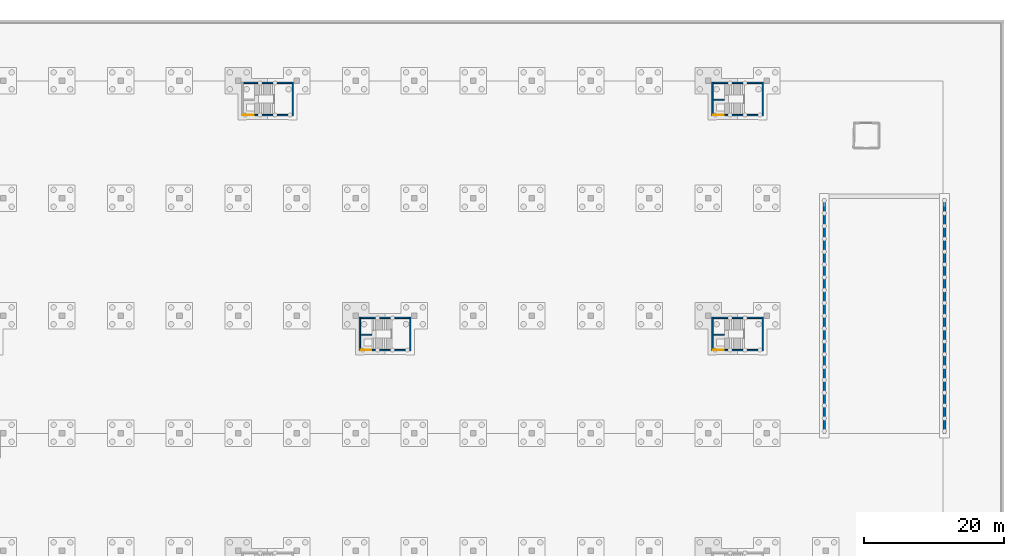
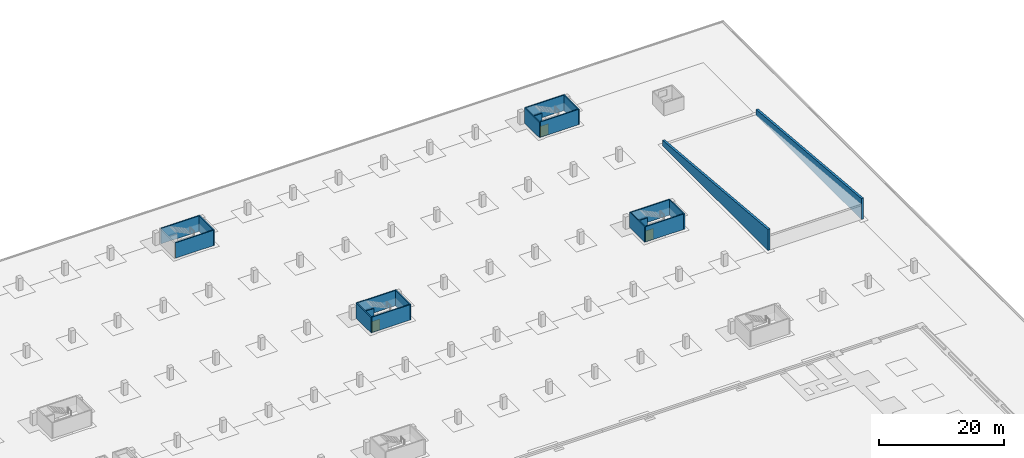
# One storey, part 47 of 67: 20 walls, 4 doors, 4 openings.
"""IFC4 building model written with IfcOpenShell, lengths in metres."""

from ifc_helpers import new_model, si_unit, direction, frame, frame_2d, origin, place, context, subcontext, project, spatial, polyline, rectangle, outline, extrude, material, layer, layer_set, type_object, element, fill, save


model = new_model("IFC4")

# Units and contexts
model_context = context("Model", 3, precision=1e-05, world=origin(), true_north=direction((0.0, 1.0)))
body_context = subcontext(model_context, "Body", "Model", "MODEL_VIEW")
ifc_project = project(units=[si_unit("LENGTHUNIT", "METRE"), si_unit("AREAUNIT", "SQUARE_METRE"), si_unit("VOLUMEUNIT", "CUBIC_METRE"), si_unit("PLANEANGLEUNIT", "RADIAN"), si_unit("MASSUNIT", "GRAM", prefix="KILO")], contexts=[model_context])

# Site, building, storey
site_placement = place(None, origin())
site = spatial("IfcSite", under=ifc_project, at=site_placement, CompositionType="ELEMENT")
building_placement = place(site_placement, origin())
building = spatial("IfcBuilding", under=site, at=building_placement, Name="Rain Tree Exposition and Congress Centre", CompositionType="ELEMENT")
storey_placement = place(building_placement, frame((0.0, 0.0, -3.0)))
storey = spatial("IfcBuildingStorey", under=building, at=storey_placement, Name="B1", CompositionType="ELEMENT", Elevation=-3.0)

# Walls
ifc_material_1 = material(Name="Concrete C40/50", Category="concrete")
ifc_layer_1 = layer(ifc_material_1, 0.199951171875)
ifc_layer_set_1 = layer_set([ifc_layer_1], Name="Concrete C40/50")
wall_type_1 = type_object("IfcWallType", Name="Exit stair wall 200", PredefinedType="PARTITIONING", material=ifc_layer_set_1)
for number, where, z_axis, x_axis, name in (
    (1, (185.39990234375, 247.0, 0.0), (0.0, 0.0, 1.0), (0.0, 1.0, 0.0), "Exit stair N07 wall west"),
    (2, (192.60009765625, 247.0, 0.0), (0.0, 0.0, 1.0), (0.0, 1.0, 0.0), "Exit stair N07 wall east"),
):
    element("IfcWall", number, at=place(storey_placement, frame(where, z_axis=z_axis, x_axis=x_axis)), inside=storey, type_object=wall_type_1, Name=name, PredefinedType="SOLIDWALL", context=body_context, shape_type="SweptSolid", body=[
        extrude(rectangle(XDim=4.800048828125, YDim=0.199951171875, at=frame_2d((2.39990234375, 0.0))), origin(), (0.0, 0.0, 1.0), 3.0),
    ])

# Wall, opening, door
wall_1_placement = place(storey_placement, frame((185.5, 247.10009765625, 0.0), z_axis=(0.0, 0.0, 1.0), x_axis=(1.0, 0.0, 0.0)))
wall_1 = element("IfcWall", 3, at=wall_1_placement, inside=storey, type_object=wall_type_1, Name="Exit stair N07 wall south", PredefinedType="SOLIDWALL", context=body_context, shape_type="SweptSolid", body=[
    extrude(rectangle(XDim=7.0, YDim=0.199951171875, at=frame_2d((3.5, 0.0))), origin(), (0.0, 0.0, 1.0), 3.0),
])
opening_1_placement = place(wall_1_placement, origin())
opening_1 = element("IfcOpeningElement", 4, at=opening_1_placement, cuts=wall_1, Name="Opening DS151", PredefinedType="OPENING", context=body_context, shape_type="SweptSolid", body=[
    extrude(rectangle(XDim=1.5, YDim=2.10009765625, at=frame_2d((0.75, 1.050048828125))), frame((0.0, 0.10009765625, 0.0), z_axis=(0.0, -1.0, 0.0), x_axis=(1.0, 0.0, 0.0)), (0.0, 0.0, 1.0), 0.199951171875),
])
ifc_material_2 = material(Name="Powder-coated steel", Category="steel")
door_type = type_object("IfcDoorType", Name="Exit stair door 1500x2100", OperationType="NOTDEFINED", PredefinedType="DOOR", material=ifc_material_2)
door_1_placement = place(opening_1_placement, origin())
door_1 = element("IfcDoor", 5, at=door_1_placement, inside=storey, type_object=door_type, Name="Exit stair N07 door B1", OperationType="SINGLE_SWING_LEFT", OverallHeight=2.10009765625, OverallWidth=1.5, PredefinedType="DOOR", context=body_context, shape_type="SweptSolid", body=[
    extrude(rectangle(XDim=1.5, YDim=2.10009765625, at=frame_2d((0.75, 1.050048828125))), frame((0.0, 0.02490234375, 0.0), z_axis=(0.0, -1.0, 0.0), x_axis=(1.0, 0.0, 0.0)), (0.0, 0.0, 1.0), 0.050048828125),
])
fill(opening_1, door_1)

# Walls
wall_2_placement = place(storey_placement, frame((185.5, 251.699951171875, 0.0), z_axis=(0.0, 0.0, 1.0), x_axis=(1.0, 0.0, 0.0)))
element("IfcWall", 6, at=wall_2_placement, inside=storey, type_object=wall_type_1, Name="Exit stair N07 wall north", PredefinedType="SOLIDWALL", context=body_context, shape_type="SweptSolid", body=[
    extrude(rectangle(XDim=7.0, YDim=0.199951171875, at=frame_2d((3.5, 0.0))), origin(), (0.0, 0.0, 1.0), 3.0),
])
wall_3_placement = place(storey_placement, frame((185.5, 249.300048828125, 0.0), z_axis=(0.0, 0.0, 1.0), x_axis=(1.0, 0.0, 0.0)))
element("IfcWall", 7, at=wall_3_placement, inside=storey, type_object=wall_type_1, Name="Exit stair N07 landing support", PredefinedType="SOLIDWALL", context=body_context, shape_type="SweptSolid", body=[
    extrude(rectangle(XDim=1.60009765625, YDim=0.199951171875, at=frame_2d((0.800048828125, 0.0))), origin(), (0.0, 0.0, 1.0), 2.800048828125),
])
for number, where, z_axis, x_axis, name in (
    (8, (235.800048828125, 247.0, 0.0), (0.0, 0.0, 1.0), (0.0, 1.0, 0.0), "Exit stair N08 wall west"),
    (9, (243.0, 247.0, 0.0), (0.0, 0.0, 1.0), (0.0, 1.0, 0.0), "Exit stair N08 wall east"),
):
    element("IfcWall", number, at=place(storey_placement, frame(where, z_axis=z_axis, x_axis=x_axis)), inside=storey, type_object=wall_type_1, Name=name, PredefinedType="SOLIDWALL", context=body_context, shape_type="SweptSolid", body=[
        extrude(rectangle(XDim=4.800048828125, YDim=0.199951171875, at=frame_2d((2.39990234375, 0.0))), origin(), (0.0, 0.0, 1.0), 3.0),
    ])

# Wall, opening, door
wall_4_placement = place(storey_placement, frame((235.89990234375, 247.10009765625, 0.0), z_axis=(0.0, 0.0, 1.0), x_axis=(1.0, 0.0, 0.0)))
wall_4 = element("IfcWall", 10, at=wall_4_placement, inside=storey, type_object=wall_type_1, Name="Exit stair N08 wall south", PredefinedType="SOLIDWALL", context=body_context, shape_type="SweptSolid", body=[
    extrude(rectangle(XDim=7.0, YDim=0.199951171875, at=frame_2d((3.5, 0.0))), origin(), (0.0, 0.0, 1.0), 3.0),
])
opening_2_placement = place(wall_4_placement, origin())
opening_2 = element("IfcOpeningElement", 11, at=opening_2_placement, cuts=wall_4, Name="Opening DS153", PredefinedType="OPENING", context=body_context, shape_type="SweptSolid", body=[
    extrude(rectangle(XDim=1.5, YDim=2.10009765625, at=frame_2d((0.75, 1.050048828125))), frame((0.0, 0.10009765625, 0.0), z_axis=(0.0, -1.0, 0.0), x_axis=(1.0, 0.0, 0.0)), (0.0, 0.0, 1.0), 0.199951171875),
])
door_2_placement = place(opening_2_placement, origin())
door_2 = element("IfcDoor", 12, at=door_2_placement, inside=storey, type_object=door_type, Name="Exit stair N08 door B1", OperationType="SINGLE_SWING_LEFT", OverallHeight=2.10009765625, OverallWidth=1.5, PredefinedType="DOOR", context=body_context, shape_type="SweptSolid", body=[
    extrude(rectangle(XDim=1.5, YDim=2.10009765625, at=frame_2d((0.75, 1.050048828125))), frame((0.0, 0.02490234375, 0.0), z_axis=(0.0, -1.0, 0.0), x_axis=(1.0, 0.0, 0.0)), (0.0, 0.0, 1.0), 0.050048828125),
])
fill(opening_2, door_2)

# Walls
wall_5_placement = place(storey_placement, frame((235.89990234375, 251.699951171875, 0.0), z_axis=(0.0, 0.0, 1.0), x_axis=(1.0, 0.0, 0.0)))
element("IfcWall", 13, at=wall_5_placement, inside=storey, type_object=wall_type_1, Name="Exit stair N08 wall north", PredefinedType="SOLIDWALL", context=body_context, shape_type="SweptSolid", body=[
    extrude(rectangle(XDim=7.0, YDim=0.199951171875, at=frame_2d((3.5, 0.0))), origin(), (0.0, 0.0, 1.0), 3.0),
])
wall_6_placement = place(storey_placement, frame((235.89990234375, 249.300048828125, 0.0), z_axis=(0.0, 0.0, 1.0), x_axis=(1.0, 0.0, 0.0)))
element("IfcWall", 14, at=wall_6_placement, inside=storey, type_object=wall_type_1, Name="Exit stair N08 landing support", PredefinedType="SOLIDWALL", context=body_context, shape_type="SweptSolid", body=[
    extrude(rectangle(XDim=1.60009765625, YDim=0.199951171875, at=frame_2d((0.800048828125, 0.0))), origin(), (0.0, 0.0, 1.0), 2.800048828125),
])
wall_7_placement = place(storey_placement, frame((175.800048828125, 280.60009765625, 0.0), z_axis=(0.0, 0.0, 1.0), x_axis=(0.0, 1.0, 0.0)))
element("IfcWall", 15, at=wall_7_placement, inside=storey, type_object=wall_type_1, Name="Exit stair N11 wall east", PredefinedType="SOLIDWALL", context=body_context, shape_type="SweptSolid", body=[
    extrude(rectangle(XDim=4.7998046875, YDim=0.199951171875, at=frame_2d((2.39990234375, 0.0))), origin(), (0.0, 0.0, 1.0), 3.0),
])

# Wall, opening, door
wall_8_placement = place(storey_placement, frame((168.699951171875, 280.699951171875, 0.0), z_axis=(0.0, 0.0, 1.0), x_axis=(1.0, 0.0, 0.0)))
wall_8 = element("IfcWall", 16, at=wall_8_placement, inside=storey, type_object=wall_type_1, Name="Exit stair N11 wall south", PredefinedType="SOLIDWALL", context=body_context, shape_type="SweptSolid", body=[
    extrude(rectangle(XDim=7.0, YDim=0.199951171875, at=frame_2d((3.5, 0.0))), origin(), (0.0, 0.0, 1.0), 3.0),
])
opening_3_placement = place(wall_8_placement, origin())
opening_3 = element("IfcOpeningElement", 17, at=opening_3_placement, cuts=wall_8, Name="Opening DS159", PredefinedType="OPENING", context=body_context, shape_type="SweptSolid", body=[
    extrude(rectangle(XDim=1.5, YDim=2.10009765625, at=frame_2d((0.75, 1.050048828125))), frame((0.0, 0.10009765625, 0.0), z_axis=(0.0, -1.0, 0.0), x_axis=(1.0, 0.0, 0.0)), (0.0, 0.0, 1.0), 0.199951171875),
])
door_3_placement = place(opening_3_placement, origin())
door_3 = element("IfcDoor", 18, at=door_3_placement, inside=storey, type_object=door_type, Name="Exit stair N11 door B1", OperationType="SINGLE_SWING_LEFT", OverallHeight=2.10009765625, OverallWidth=1.5, PredefinedType="DOOR", context=body_context, shape_type="SweptSolid", body=[
    extrude(rectangle(XDim=1.5, YDim=2.10009765625, at=frame_2d((0.75, 1.050048828125))), frame((0.0, 0.02490234375, 0.0), z_axis=(0.0, -1.0, 0.0), x_axis=(1.0, 0.0, 0.0)), (0.0, 0.0, 1.0), 0.050048828125),
])
fill(opening_3, door_3)

# Walls
wall_9_placement = place(storey_placement, frame((168.699951171875, 285.300048828125, 0.0), z_axis=(0.0, 0.0, 1.0), x_axis=(1.0, 0.0, 0.0)))
element("IfcWall", 19, at=wall_9_placement, inside=storey, type_object=wall_type_1, Name="Exit stair N11 wall north", PredefinedType="SOLIDWALL", context=body_context, shape_type="SweptSolid", body=[
    extrude(rectangle(XDim=7.0, YDim=0.199951171875, at=frame_2d((3.5, 0.0))), origin(), (0.0, 0.0, 1.0), 3.0),
])
for number, where, z_axis, x_axis, name in (
    (20, (235.800048828125, 280.60009765625, 0.0), (0.0, 0.0, 1.0), (0.0, 1.0, 0.0), "Exit stair N12 wall west"),
    (21, (243.0, 280.60009765625, 0.0), (0.0, 0.0, 1.0), (0.0, 1.0, 0.0), "Exit stair N12 wall east"),
):
    element("IfcWall", number, at=place(storey_placement, frame(where, z_axis=z_axis, x_axis=x_axis)), inside=storey, type_object=wall_type_1, Name=name, PredefinedType="SOLIDWALL", context=body_context, shape_type="SweptSolid", body=[
        extrude(rectangle(XDim=4.7998046875, YDim=0.199951171875, at=frame_2d((2.39990234375, 0.0))), origin(), (0.0, 0.0, 1.0), 3.0),
    ])

# Wall, opening, door
wall_10_placement = place(storey_placement, frame((235.89990234375, 280.699951171875, 0.0), z_axis=(0.0, 0.0, 1.0), x_axis=(1.0, 0.0, 0.0)))
wall_10 = element("IfcWall", 22, at=wall_10_placement, inside=storey, type_object=wall_type_1, Name="Exit stair N12 wall south", PredefinedType="SOLIDWALL", context=body_context, shape_type="SweptSolid", body=[
    extrude(rectangle(XDim=7.0, YDim=0.199951171875, at=frame_2d((3.5, 0.0))), origin(), (0.0, 0.0, 1.0), 3.0),
])
opening_4_placement = place(wall_10_placement, origin())
opening_4 = element("IfcOpeningElement", 23, at=opening_4_placement, cuts=wall_10, Name="Opening DS161", PredefinedType="OPENING", context=body_context, shape_type="SweptSolid", body=[
    extrude(rectangle(XDim=1.5, YDim=2.10009765625, at=frame_2d((0.75, 1.050048828125))), frame((0.0, 0.10009765625, 0.0), z_axis=(0.0, -1.0, 0.0), x_axis=(1.0, 0.0, 0.0)), (0.0, 0.0, 1.0), 0.199951171875),
])
door_4_placement = place(opening_4_placement, origin())
door_4 = element("IfcDoor", 24, at=door_4_placement, inside=storey, type_object=door_type, Name="Exit stair N12 door B1", OperationType="SINGLE_SWING_LEFT", OverallHeight=2.10009765625, OverallWidth=1.5, PredefinedType="DOOR", context=body_context, shape_type="SweptSolid", body=[
    extrude(rectangle(XDim=1.5, YDim=2.10009765625, at=frame_2d((0.75, 1.050048828125))), frame((0.0, 0.02490234375, 0.0), z_axis=(0.0, -1.0, 0.0), x_axis=(1.0, 0.0, 0.0)), (0.0, 0.0, 1.0), 0.050048828125),
])
fill(opening_4, door_4)

# Walls
wall_11_placement = place(storey_placement, frame((235.89990234375, 285.300048828125, 0.0), z_axis=(0.0, 0.0, 1.0), x_axis=(1.0, 0.0, 0.0)))
element("IfcWall", 25, at=wall_11_placement, inside=storey, type_object=wall_type_1, Name="Exit stair N12 wall north", PredefinedType="SOLIDWALL", context=body_context, shape_type="SweptSolid", body=[
    extrude(rectangle(XDim=7.0, YDim=0.199951171875, at=frame_2d((3.5, 0.0))), origin(), (0.0, 0.0, 1.0), 3.0),
])
wall_12_placement = place(storey_placement, frame((235.89990234375, 282.89990234375, 0.0), z_axis=(0.0, 0.0, 1.0), x_axis=(1.0, 0.0, 0.0)))
element("IfcWall", 26, at=wall_12_placement, inside=storey, type_object=wall_type_1, Name="Exit stair N12 landing support", PredefinedType="SOLIDWALL", context=body_context, shape_type="SweptSolid", body=[
    extrude(rectangle(XDim=1.60009765625, YDim=0.199951171875, at=frame_2d((0.800048828125, 0.0))), origin(), (0.0, 0.0, 1.0), 2.800048828125),
])
ifc_material_3 = material(Name="Concrete C40/50", Category="concrete")
ifc_layer_2 = layer(ifc_material_3, 0.39990234375)
ifc_layer_set_2 = layer_set([ifc_layer_2], Name="Concrete C40/50")
wall_type_2 = type_object("IfcWallType", Name="Ramp side wall 400", PredefinedType="SOLIDWALL", material=ifc_layer_set_2)
for number, where, z_axis, x_axis, name in (
    (27, (251.800048828125, 268.800048828125, 0.0), (0.0, 0.0, 1.0), (0.0, -1.0, 0.0), "logistics/wall/B1/20"),
    (28, (269.0, 268.800048828125, 0.0), (0.0, 0.0, 1.0), (0.0, -1.0, 0.0), "logistics/wall/B1/21"),
):
    element("IfcWall", number, at=place(storey_placement, frame(where, z_axis=z_axis, x_axis=x_axis)), inside=storey, type_object=wall_type_2, Name=name, PredefinedType="SOLIDWALL", context=body_context, shape_type="SweptSolid", body=[
        extrude(outline(polyline([(0.0, 0.0), (33.60009765625, 0.0), (33.60009765625, 4.10009765625), (0.0, 1.10009765625), (0.0, 0.0)])), frame((0.0, 0.199951171875, 0.0), z_axis=(0.0, -1.0, 0.0), x_axis=(1.0, 0.0, 0.0)), (0.0, 0.0, 1.0), 0.39990234375),
    ])

save(model, "model.ifc")
